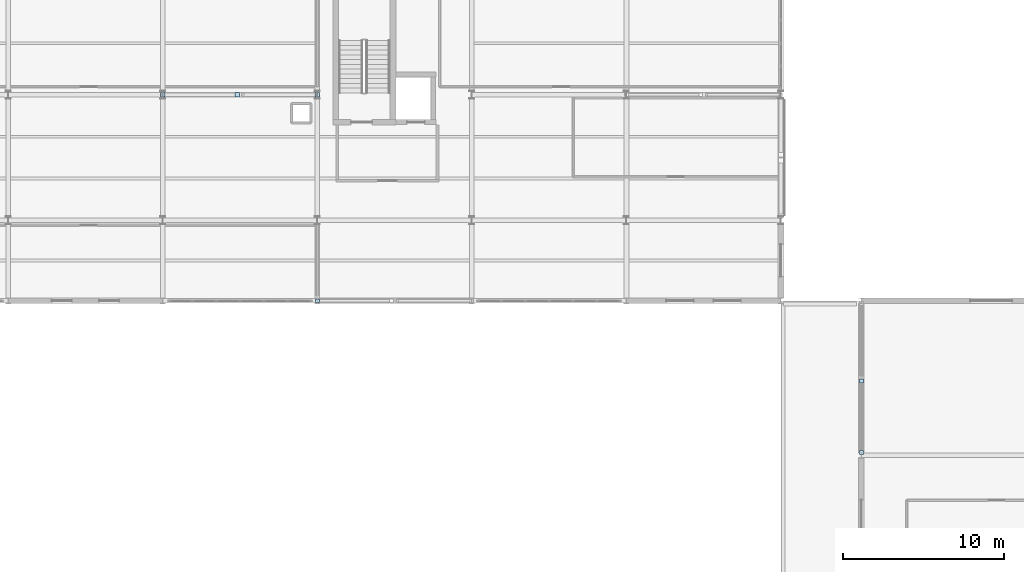
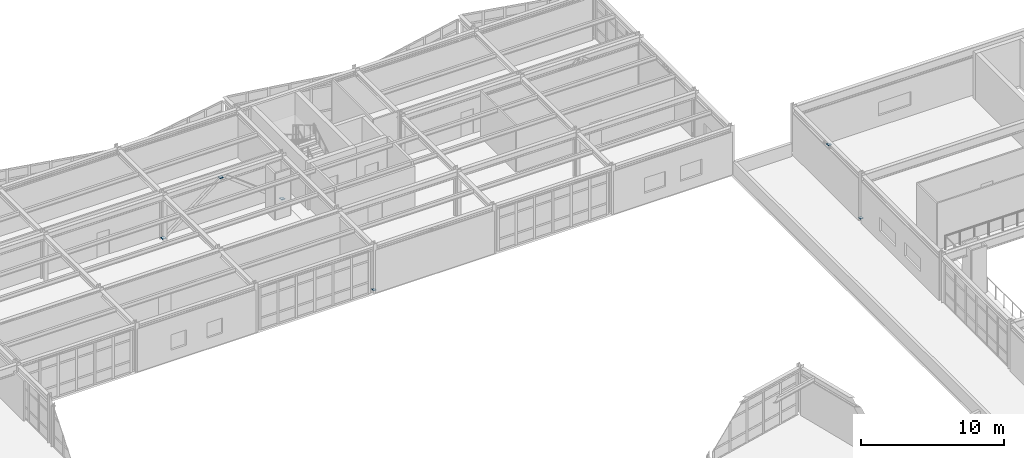
# One storey, part 60 of 76: 6 plates.
"""IFC4 building model written with IfcOpenShell, lengths in metres."""

from ifc_helpers import new_model, si_unit, direction, frame, origin, origin_2d, place, context, subcontext, project, spatial, rectangle, extrude, material, layer, layer_set, type_object, element, save


model = new_model("IFC4")

# Units and contexts
model_context = context("Model", 3, precision=1e-05, world=origin(), true_north=direction((0.0, 1.0)))
body_context = subcontext(model_context, "Body", "Model", "MODEL_VIEW")
ifc_project = project(units=[si_unit("LENGTHUNIT", "METRE"), si_unit("AREAUNIT", "SQUARE_METRE"), si_unit("VOLUMEUNIT", "CUBIC_METRE"), si_unit("PLANEANGLEUNIT", "RADIAN"), si_unit("MASSUNIT", "GRAM", prefix="KILO")], contexts=[model_context])

# Site, building, storey
site_placement = place(None, origin())
site = spatial("IfcSite", under=ifc_project, at=site_placement, CompositionType="ELEMENT")
building_placement = place(site_placement, origin())
building = spatial("IfcBuilding", under=site, at=building_placement, Name="Nordkorset Police Headquarters", CompositionType="ELEMENT")
storey_placement = place(building_placement, frame((0.0, 0.0, 13.64990234375)))
storey = spatial("IfcBuildingStorey", under=building, at=storey_placement, Name="L03", CompositionType="ELEMENT", Elevation=13.64990234375)

# Plates
ifc_material = material(Name="Steel S355J2", Category="steel")
ifc_layer = layer(ifc_material, 0.02001953125, Name="Steel S355J2")
ifc_layer_set = layer_set([ifc_layer], Name="Steel S355J2")
plate_type = type_object("IfcPlateType", Name="SteelPlate_20mm", PredefinedType="SHEET", material=ifc_layer_set)
for number, where, z_axis, x_axis, name in (
    (1, (48.00732421875, 110.39990234375, 0.190185546875), (0.0, 0.0, 1.0), (1.0, 0.0, 0.0), "Hollow Section End Cap Plate BF-V2-A-L03-D1-0"),
    (2, (52.6201171875, 110.39990234375, 3.75), (0.0, 0.0, 1.0), (1.0, 0.0, 0.0), "Hollow Section End Cap Plate BF-V2-A-L03-D1-1"),
    (3, (57.5927734375, 110.39990234375, 0.190185546875), (0.0, 0.0, 1.0), (1.0, 0.0, 0.0), "Hollow Section End Cap Plate BF-V2-A-L03-D2-0"),
):
    element("IfcPlate", number, at=place(storey_placement, frame(where, z_axis=z_axis, x_axis=x_axis)), inside=storey, type_object=plate_type, Name=name, PredefinedType="SHEET", context=body_context, shape_type="SweptSolid", body=[
        extrude(rectangle(XDim=0.2900390625, YDim=0.2900390625, at=origin_2d()), origin(), (0.0, 0.0, 1.0), 0.02001953125),
    ])
for number, where, z_axis, x_axis, name in (
    (4, (91.39990234375, 88.169921875, 0.190185546875), (0.0, 0.0, 1.0), (1.0, 0.0, 0.0), "Hollow Section End Cap Plate BF-V5-A-L03-D1-0"),
    (5, (91.39990234375, 92.6201171875, 3.75), (0.0, 0.0, 1.0), (1.0, 0.0, 0.0), "Hollow Section End Cap Plate BF-V5-A-L03-D1-1"),
):
    element("IfcPlate", number, at=place(storey_placement, frame(where, z_axis=z_axis, x_axis=x_axis)), inside=storey, type_object=plate_type, Name=name, PredefinedType="SHEET", context=body_context, shape_type="SweptSolid", body=[
        extrude(rectangle(XDim=0.259033203125, YDim=0.259033203125, at=origin_2d()), origin(), (0.0, 0.0, 1.0), 0.02001953125),
    ])
plate_placement = place(storey_placement, frame((57.60595703125, 97.60009765625, 0.190185546875), z_axis=(0.0, 0.0, 1.0), x_axis=(1.0, 0.0, 0.0)))
element("IfcPlate", 6, at=plate_placement, inside=storey, type_object=plate_type, Name="Hollow Section End Cap Plate BF-EXT-V2S-L03-D1-0", PredefinedType="SHEET", context=body_context, shape_type="SweptSolid", body=[
    extrude(rectangle(XDim=0.239990234375, YDim=0.239990234375, at=origin_2d()), origin(), (0.0, 0.0, 1.0), 0.02001953125),
])

save(model, "model.ifc")
